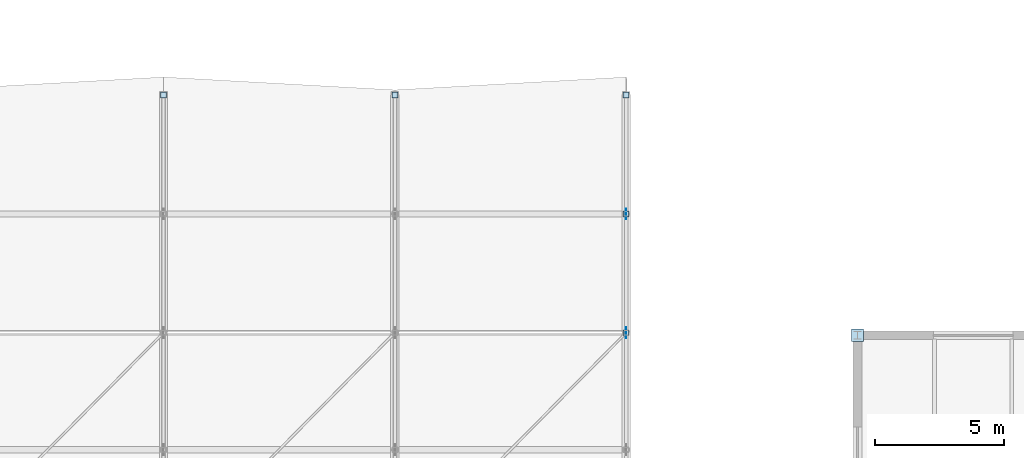
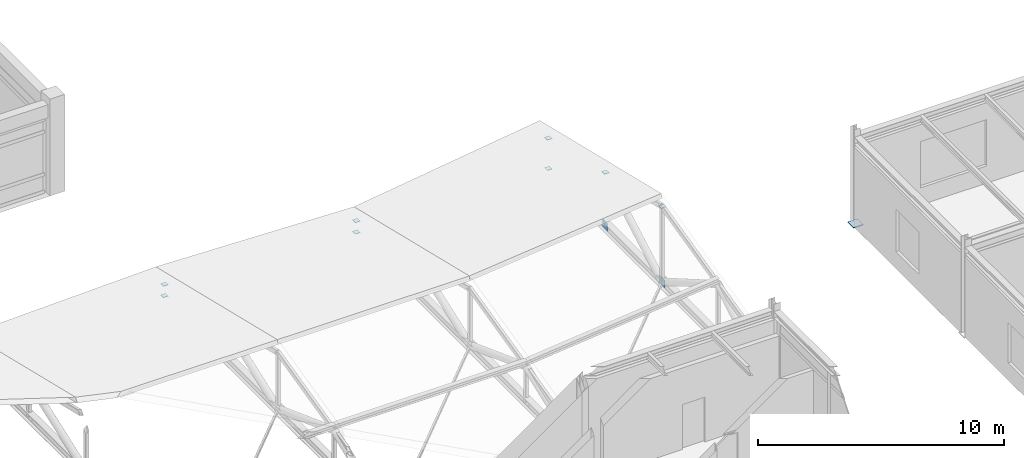
# One storey, part 63 of 90: 11 plates.
"""IFC4 building model written with IfcOpenShell, lengths in metres."""

from ifc_helpers import new_model, si_unit, direction, frame, origin, origin_2d, place, context, subcontext, project, spatial, rectangle, extrude, material, layer, layer_set, type_object, element, save


model = new_model("IFC4")

# Units and contexts
model_context = context("Model", 3, precision=1e-05, world=origin(), true_north=direction((0.0, 1.0)))
body_context = subcontext(model_context, "Body", "Model", "MODEL_VIEW")
ifc_project = project(units=[si_unit("LENGTHUNIT", "METRE"), si_unit("AREAUNIT", "SQUARE_METRE"), si_unit("VOLUMEUNIT", "CUBIC_METRE"), si_unit("PLANEANGLEUNIT", "RADIAN"), si_unit("MASSUNIT", "GRAM", prefix="KILO")], contexts=[model_context])

# Site, building, storey
site_placement = place(None, origin())
site = spatial("IfcSite", under=ifc_project, at=site_placement, CompositionType="ELEMENT")
building_placement = place(site_placement, origin())
building = spatial("IfcBuilding", under=site, at=building_placement, Name="Bozkorgan Art Gallery", CompositionType="ELEMENT")
storey_placement = place(building_placement, frame((0.0, 0.0, 5.39990234375)))
storey = spatial("IfcBuildingStorey", under=building, at=storey_placement, Name="L01", CompositionType="ELEMENT", Elevation=5.39990234375)

# Plates
ifc_material = material(Name="Steel S355J2", Category="steel")
ifc_layer_1 = layer(ifc_material, 0.031982421875, Name="Steel S355J2")
ifc_layer_set_1 = layer_set([ifc_layer_1], Name="Steel S355J2")
plate_type_1 = type_object("IfcPlateType", Name="PLATE-BP-41", PredefinedType="USERDEFINED", material=ifc_layer_set_1)
plate_1_placement = place(storey_placement, frame((128.0, 20.0, 0.0), z_axis=(0.0, 0.0, 1.0), x_axis=(1.0, 0.0, 0.0)))
element("IfcPlate", 1, at=plate_1_placement, inside=storey, type_object=plate_type_1, Name="COL-V6-L01-128-20 base plate", ObjectType="END CAP PLATE", PredefinedType="USERDEFINED", context=body_context, shape_type="SweptSolid", body=[
    extrude(rectangle(XDim=0.4599609375, YDim=0.47998046875, at=origin_2d()), origin(), (0.0, 0.0, 1.0), 0.031982421875),
])
ifc_layer_2 = layer(ifc_material, 0.01611328125, Name="Steel S355J2")
ifc_layer_set_2 = layer_set([ifc_layer_2], Name="Steel S355J2")
plate_type_2 = type_object("IfcPlateType", Name="PLATE-EC-05", PredefinedType="USERDEFINED", material=ifc_layer_set_2)
for number, where, z_axis, x_axis, name in (
    (2, (101.0, 29.35009765625, 0.77685546875), (0.0, 0.0, 1.0), (1.0, 0.0, 0.0), "Truss V3 post cap 3.4"),
    (3, (101.0, 29.35009765625, 0.217041015625), (0.0, 0.0, 1.0), (1.0, 0.0, 0.0), "Truss V3 post base cap 3.4"),
    (4, (110.0, 29.35009765625, 0.784912109375), (0.0, 0.0, 1.0), (1.0, 0.0, 0.0), "Truss V3 post cap 4.4"),
    (5, (110.0, 29.35009765625, 0.217041015625), (0.0, 0.0, 1.0), (1.0, 0.0, 0.0), "Truss V3 post base cap 4.4"),
    (6, (119.0, 20.10009765625, 3.94482421875), (0.0, 0.0, 1.0), (1.0, 0.0, 0.0), "Truss V3 post cap 5.2"),
    (7, (119.0, 24.72509765625, 2.83447265625), (0.0, 0.0, 1.0), (1.0, 0.0, 0.0), "Truss V3 post cap 5.3"),
    (8, (119.0, 29.35009765625, 1.72412109375), (0.0, 0.0, 1.0), (1.0, 0.0, 0.0), "Truss V3 post cap 5.4"),
    (9, (119.0, 29.35009765625, 0.217041015625), (0.0, 0.0, 1.0), (1.0, 0.0, 0.0), "Truss V3 post base cap 5.4"),
):
    element("IfcPlate", number, at=place(storey_placement, frame(where, z_axis=z_axis, x_axis=x_axis)), inside=storey, type_object=plate_type_2, Name=name, ObjectType="END CAP PLATE", PredefinedType="USERDEFINED", context=body_context, shape_type="SweptSolid", body=[
        extrude(rectangle(XDim=0.22998046875, YDim=0.22998046875, at=origin_2d()), origin(), (0.0, 0.0, 1.0), 0.01611328125),
    ])
ifc_layer_3 = layer(ifc_material, 0.02392578125, Name="Steel S355J2")
ifc_layer_set_3 = layer_set([ifc_layer_3], Name="Steel S355J2")
plate_type_3 = type_object("IfcPlateType", Name="PLATE-GP-38", PredefinedType="USERDEFINED", material=ifc_layer_set_3)
plate_2_placement = place(storey_placement, frame((119.0, 20.10009765625, 0.044921875), z_axis=(0.0, 0.0, 1.0), x_axis=(1.0, 0.0, 0.0)))
element("IfcPlate", 10, at=plate_2_placement, inside=storey, type_object=plate_type_3, Name="Truss V3 span 5 node gusset TN-2", ObjectType="GUSSET PLATE", PredefinedType="USERDEFINED", context=body_context, shape_type="SweptSolid", body=[
    extrude(rectangle(XDim=0.02001953125, YDim=0.419921875, at=origin_2d()), origin(), (0.0, 0.0, 1.0), 0.360107421875),
])
ifc_layer_4 = layer(ifc_material, 0.02001953125, Name="Steel S355J2")
ifc_layer_set_4 = layer_set([ifc_layer_4], Name="Steel S355J2")
plate_type_4 = type_object("IfcPlateType", Name="PLATE-GP-55", PredefinedType="USERDEFINED", material=ifc_layer_set_4)
plate_3_placement = place(storey_placement, frame((119.0, 24.72509765625, 0.044921875), z_axis=(0.0, 0.0, 1.0), x_axis=(1.0, 0.0, 0.0)))
element("IfcPlate", 11, at=plate_3_placement, inside=storey, type_object=plate_type_4, Name="Truss V3 span 5 node gusset TN-3", ObjectType="GUSSET PLATE", PredefinedType="USERDEFINED", context=body_context, shape_type="SweptSolid", body=[
    extrude(rectangle(XDim=0.02001953125, YDim=0.419921875, at=origin_2d()), origin(), (0.0, 0.0, 1.0), 0.360107421875),
])

save(model, "model.ifc")
